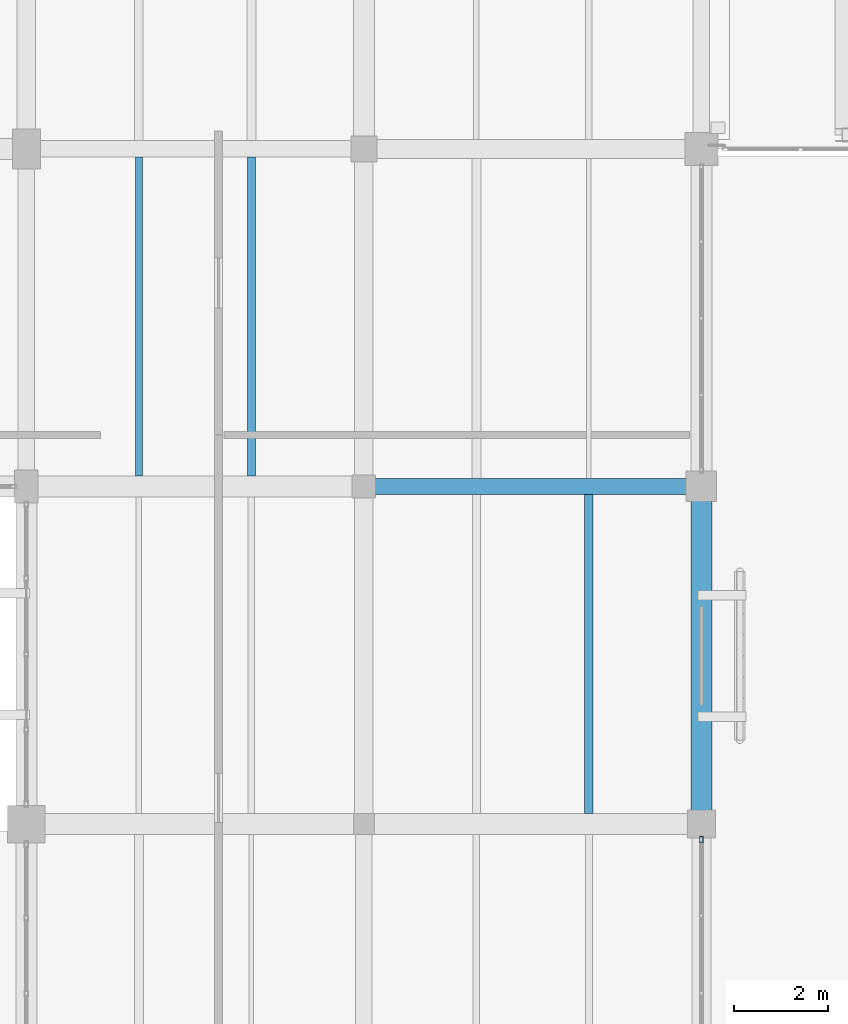
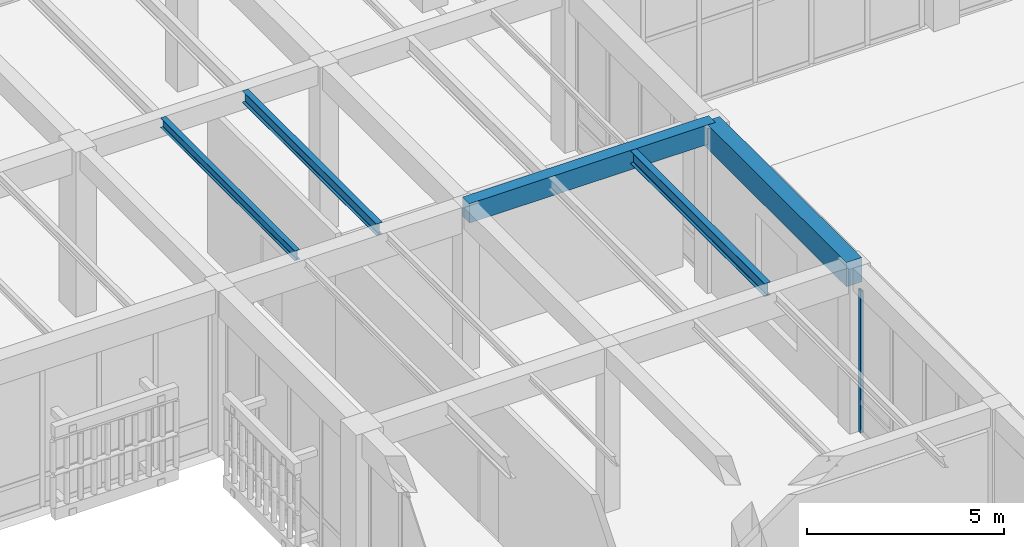
# One storey, part 60 of 169: 5 beams, 1 member, 1 element without a shape of its own.
"""IFC4 building model written with IfcOpenShell, lengths in metres."""

from ifc_helpers import new_model, si_unit, direction, frame, origin, origin_2d, place, context, subcontext, project, spatial, rectangle, hollow_rectangle, i_section, extrude, material, layer, layer_set, material_profile, profile_set, type_object, element, aggregate, save


model = new_model("IFC4")

# Units and contexts
model_context = context("Model", 3, precision=1e-05, world=origin(), true_north=direction((0.0, 1.0)))
body_context = subcontext(model_context, "Body", "Model", "MODEL_VIEW")
ifc_project = project(units=[si_unit("LENGTHUNIT", "METRE"), si_unit("AREAUNIT", "SQUARE_METRE"), si_unit("VOLUMEUNIT", "CUBIC_METRE"), si_unit("PLANEANGLEUNIT", "RADIAN"), si_unit("MASSUNIT", "GRAM", prefix="KILO")], contexts=[model_context])

# Site, building, storey
site_placement = place(None, origin())
site = spatial("IfcSite", under=ifc_project, at=site_placement, CompositionType="ELEMENT")
building_placement = place(site_placement, origin())
building = spatial("IfcBuilding", under=site, at=building_placement, Name="Mazaris Harbour Polytechnic", CompositionType="ELEMENT")
storey_placement = place(building_placement, origin())
storey = spatial("IfcBuildingStorey", under=building, at=storey_placement, Name="L00", CompositionType="ELEMENT", Elevation=0.0)

# Curtain wall, member
ifc_material_1 = material(Name="Anodised Bronze Aluminium and Low-E Glass", Category="aluminium")
ifc_layer = layer(ifc_material_1, 0.159912109375, Name="Anodised Bronze Aluminium and Low-E Glass")
ifc_layer_set = layer_set([ifc_layer], Name="Anodised Bronze Aluminium and Low-E Glass")
curtain_wall_type = type_object("IfcCurtainWallType", Name="Cloister Court Curtain Wall", PredefinedType="NOTDEFINED", material=ifc_layer_set)
curtain_wall_placement = place(storey_placement, origin())
curtain_wall = element("IfcCurtainWall", 1, at=curtain_wall_placement, inside=storey, type_object=curtain_wall_type, Name="V4 L00 Curtain Wall 97", PredefinedType="NOTDEFINED")
ifc_material_2 = material(Name="Anodised Bronze Steel S355", Category="steel")
ifc_material_profile_1 = material_profile(ifc_material_2, hollow_rectangle(XDim=0.080078125, YDim=0.139892578125, WallThickness=0.00634765625, at=origin_2d()), Name="RHS 80x140x6.3")
ifc_profile_set_1 = profile_set([ifc_material_profile_1], Name="Anodised Bronze Steel S355")
member_type = type_object("IfcMemberType", Name="Curtain Mullion RHS80x140", PredefinedType="MULLION", material=ifc_profile_set_1)
member_placement = place(storey_placement, frame((43.199951171875, 60.867919921875, 0.0), z_axis=(0.0, 0.0, 1.0), x_axis=(1.0, 0.0, 0.0)))
member = element("IfcMember", 2, at=member_placement, type_object=member_type, Name="CW-02 mullion 1", PredefinedType="MULLION", context=body_context, shape_type="SweptSolid", body=[
    extrude(hollow_rectangle(XDim=0.080078125, YDim=0.139892578125, WallThickness=0.00634765625, at=origin_2d()), origin(), (0.0, 0.0, 1.0), 4.389892578125),
])
aggregate(curtain_wall, [member])

# Beams
ifc_material_3 = material(Name="Concrete C35/45", Category="concrete")
ifc_material_profile_2 = material_profile(ifc_material_3, rectangle(XDim=0.35009765625, YDim=0.60009765625, at=origin_2d()), Name="RECT350x600")
ifc_profile_set_2 = profile_set([ifc_material_profile_2], Name="Concrete C35/45")
beam_type_1 = type_object("IfcBeamType", Name="RC Girder 350x600", PredefinedType="BEAM", material=ifc_profile_set_2)
beam_1_placement = place(storey_placement, frame((36.0, 68.39990234375, 4.800048828125), z_axis=(1.0, 0.0, 0.0), x_axis=(0.0, 1.0, 0.0)))
element("IfcBeam", 3, at=beam_1_placement, inside=storey, type_object=beam_type_1, Name="V4 L00 Girder 1400", PredefinedType="BEAM", context=body_context, shape_type="SweptSolid", body=[
    extrude(rectangle(XDim=0.35009765625, YDim=0.60009765625, at=origin_2d()), origin(), (0.0, 0.0, 1.0), 7.199951171875),
])
ifc_material_4 = material(Name="Concrete C40/50", Category="concrete")
ifc_material_profile_3 = material_profile(ifc_material_4, rectangle(XDim=0.449951171875, YDim=0.75, at=origin_2d()), Name="RECT450x750")
ifc_profile_set_3 = profile_set([ifc_material_profile_3], Name="Concrete C40/50")
beam_type_2 = type_object("IfcBeamType", Name="RC Girder 450x750 Exterior", PredefinedType="BEAM", material=ifc_profile_set_3)
beam_2_placement = place(storey_placement, frame((43.199951171875, 61.199951171875, 4.72509765625), z_axis=(0.0, 1.0, 0.0), x_axis=(-1.0, 0.0, 0.0)))
element("IfcBeam", 4, at=beam_2_placement, inside=storey, type_object=beam_type_2, Name="V4 L00 Tie Girder 1498", PredefinedType="BEAM", context=body_context, shape_type="SweptSolid", body=[
    extrude(rectangle(XDim=0.449951171875, YDim=0.75, at=origin_2d()), origin(), (0.0, 0.0, 1.0), 7.199951171875),
])
ifc_material_5 = material(Name="Steel S355", Category="steel")
ifc_material_profile_4 = material_profile(ifc_material_5, i_section(OverallWidth=0.14990234375, OverallDepth=0.300048828125, WebThickness=0.007080078125, FlangeThickness=0.0107421875, FilletRadius=0.014892578125, at=origin_2d()), Name="IPE 300")
ifc_profile_set_4 = profile_set([ifc_material_profile_4], Name="Steel S355")
beam_type_3 = type_object("IfcBeamType", Name="Steel Joist IPE300", PredefinedType="JOIST", material=ifc_profile_set_4)
beam_3_placement = place(storey_placement, frame((31.199951171875, 68.625, 4.949951171875), z_axis=(0.0, 1.0, 0.0), x_axis=(-1.0, 0.0, 0.0)))
element("IfcBeam", 5, at=beam_3_placement, inside=storey, type_object=beam_type_3, Name="V4 L00 Floor Joist 1592", PredefinedType="JOIST", context=body_context, shape_type="SweptSolid", body=[
    extrude(i_section(OverallWidth=0.14990234375, OverallDepth=0.300048828125, WebThickness=0.007080078125, FlangeThickness=0.0107421875, FilletRadius=0.014892578125, at=origin_2d()), origin(), (0.0, 0.0, 1.0), 6.800048828125),
])
ifc_material_6 = material(Name="Steel S355", Category="steel")
ifc_material_profile_5 = material_profile(ifc_material_6, i_section(OverallWidth=0.169921875, OverallDepth=0.360107421875, WebThickness=0.008056640625, FlangeThickness=0.0126953125, FilletRadius=0.01806640625, at=origin_2d()), Name="IPE 360")
ifc_profile_set_5 = profile_set([ifc_material_profile_5], Name="Steel S355")
beam_type_4 = type_object("IfcBeamType", Name="Steel Joist IPE360", PredefinedType="JOIST", material=ifc_profile_set_5)
beam_4_placement = place(storey_placement, frame((33.60009765625, 68.625, 4.919921875), z_axis=(0.0, 1.0, 0.0), x_axis=(-1.0, 0.0, 0.0)))
element("IfcBeam", 6, at=beam_4_placement, inside=storey, type_object=beam_type_4, Name="V4 L00 Floor Joist 1593", PredefinedType="JOIST", context=body_context, shape_type="SweptSolid", body=[
    extrude(i_section(OverallWidth=0.169921875, OverallDepth=0.360107421875, WebThickness=0.008056640625, FlangeThickness=0.0126953125, FilletRadius=0.01806640625, at=origin_2d()), origin(), (0.0, 0.0, 1.0), 6.800048828125),
])
ifc_material_7 = material(Name="Steel S355", Category="steel")
ifc_material_profile_6 = material_profile(ifc_material_7, i_section(OverallWidth=0.179931640625, OverallDepth=0.39990234375, WebThickness=0.008544921875, FlangeThickness=0.013427734375, FilletRadius=0.02099609375, at=origin_2d()), Name="IPE 400")
ifc_profile_set_6 = profile_set([ifc_material_profile_6], Name="Steel S355")
beam_type_5 = type_object("IfcBeamType", Name="Steel Joist IPE400", PredefinedType="JOIST", material=ifc_profile_set_6)
beam_5_placement = place(storey_placement, frame((40.800048828125, 61.425048828125, 4.89990234375), z_axis=(0.0, 1.0, 0.0), x_axis=(-1.0, 0.0, 0.0)))
element("IfcBeam", 7, at=beam_5_placement, inside=storey, type_object=beam_type_5, Name="V4 L00 Floor Joist 1615", PredefinedType="JOIST", context=body_context, shape_type="SweptSolid", body=[
    extrude(i_section(OverallWidth=0.179931640625, OverallDepth=0.39990234375, WebThickness=0.008544921875, FlangeThickness=0.013427734375, FilletRadius=0.02099609375, at=origin_2d()), origin(), (0.0, 0.0, 1.0), 6.800048828125),
])

save(model, "model.ifc")
